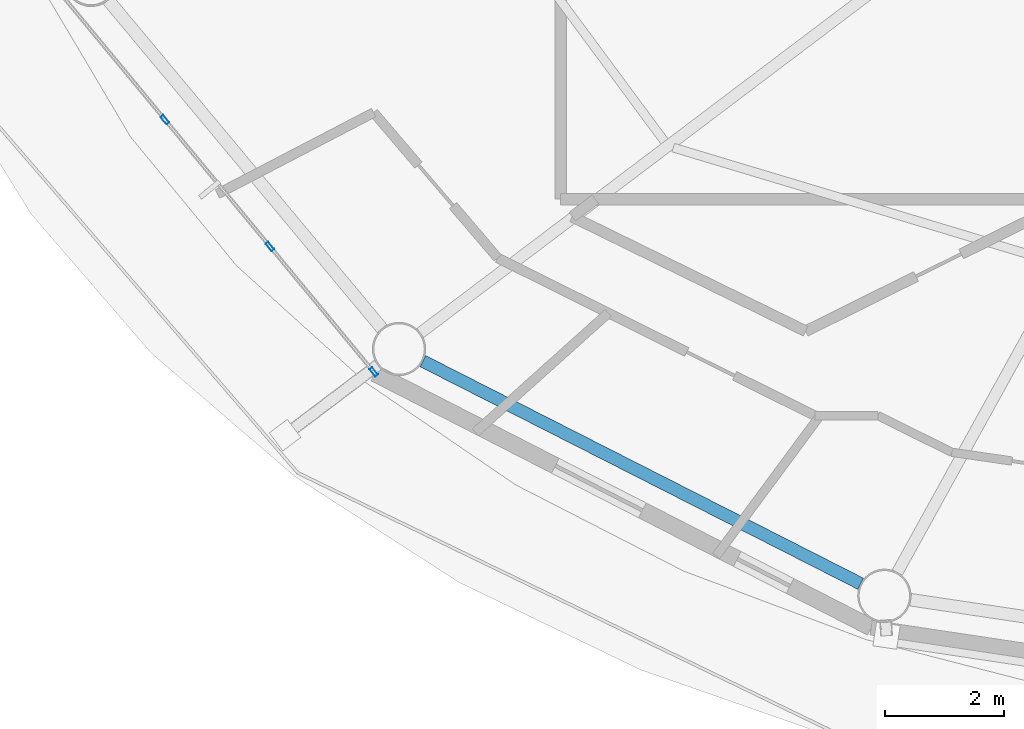
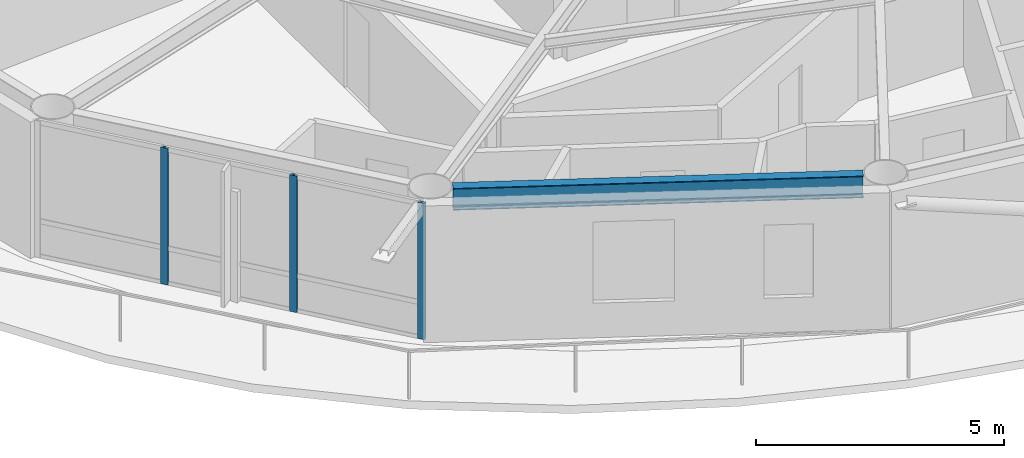
# One storey, part 2 of 23: 3 members, 1 beam, 1 element without a shape of its own.
"""IFC4 building model written with IfcOpenShell, lengths in metres."""

from ifc_helpers import new_model, si_unit, direction, frame, origin, origin_2d, place, context, subcontext, project, spatial, hollow_rectangle, i_section, extrude, material, layer, layer_set, material_profile, profile_set, type_object, element, aggregate, save


model = new_model("IFC4")

# Units and contexts
model_context = context("Model", 3, precision=1e-05, world=origin(), true_north=direction((0.0, 1.0)))
body_context = subcontext(model_context, "Body", "Model", "MODEL_VIEW")
ifc_project = project(units=[si_unit("LENGTHUNIT", "METRE"), si_unit("AREAUNIT", "SQUARE_METRE"), si_unit("VOLUMEUNIT", "CUBIC_METRE"), si_unit("PLANEANGLEUNIT", "RADIAN"), si_unit("MASSUNIT", "GRAM", prefix="KILO")], contexts=[model_context])

# Site, building, storey
site_placement = place(None, origin())
site = spatial("IfcSite", under=ifc_project, at=site_placement, CompositionType="ELEMENT")
building_placement = place(site_placement, origin())
building = spatial("IfcBuilding", under=site, at=building_placement, Name="Sarneth Arch Tower", CompositionType="ELEMENT")
storey_placement = place(building_placement, frame((0.0, 0.0, 217.199951171875)))
storey = spatial("IfcBuildingStorey", under=building, at=storey_placement, Name="L55", CompositionType="ELEMENT", Elevation=217.199951171875)

# Beam
ifc_material_1 = material(Name="Steel S355", Category="steel")
ifc_material_profile_1 = material_profile(ifc_material_1, i_section(OverallWidth=0.2109375, OverallDepth=0.5390625, WebThickness=0.01171875, FlangeThickness=0.018798828125, FilletRadius=0.01806640625, at=origin_2d()), Name="W530x109")
ifc_profile_set_1 = profile_set([ifc_material_profile_1], Name="Steel S355")
beam_type = type_object("IfcBeamType", Name="BM-RAD-530B", PredefinedType="BEAM", material=ifc_profile_set_1)
beam_placement = place(storey_placement, frame((30.42578125, 28.219482421875, 3.090576171875), z_axis=(0.891376248079, -0.453264144138, 0.0), x_axis=(0.453264144138, 0.891376248079, 0.0)))
element("IfcBeam", 1, at=beam_placement, inside=storey, type_object=beam_type, Name="L55 Perimeter spandrel beam 11", PredefinedType="BEAM", context=body_context, shape_type="SweptSolid", body=[
    extrude(i_section(OverallWidth=0.2109375, OverallDepth=0.5390625, WebThickness=0.01171875, FlangeThickness=0.018798828125, FilletRadius=0.01806640625, at=origin_2d()), origin(), (0.0, 0.0, 1.0), 8.281982421875),
])

# Curtain wall, members
ifc_material_2 = material(Name="Anodised aluminium Type AA25 and solar-control low-e laminated IGU", Category="aluminium")
ifc_layer = layer(ifc_material_2, 0.179931640625)
ifc_layer_set = layer_set([ifc_layer], Name="Anodised aluminium Type AA25 and solar-control low-e laminated IGU")
curtain_wall_type = type_object("IfcCurtainWallType", Name="CW-RES-HIGH", PredefinedType="NOTDEFINED", material=ifc_layer_set)
curtain_wall_placement = place(storey_placement, origin())
curtain_wall = element("IfcCurtainWall", 2, at=curtain_wall_placement, inside=storey, type_object=curtain_wall_type, Name="L55 Unitised curtain wall facet 10", PredefinedType="NOTDEFINED")
ifc_material_3 = material(Name="Anodised Aluminium 6063-T6", Category="aluminium")
ifc_material_profile_2 = material_profile(ifc_material_3, hollow_rectangle(XDim=0.06005859375, YDim=0.159912109375, WallThickness=0.00390625, at=origin_2d()), Name="AL-MULL-160x60x4")
ifc_profile_set_2 = profile_set([ifc_material_profile_2], Name="Anodised Aluminium 6063-T6")
member_type = type_object("IfcMemberType", Name="CW-MULLION", PredefinedType="MULLION", material=ifc_profile_set_2)
member_1_placement = place(storey_placement, frame((26.07666015625, 32.29150390625, 0.0), z_axis=(0.0, 0.0, 1.0), x_axis=(0.770359245933, 0.637610094184, 0.0)))
member_1 = element("IfcMember", 3, at=member_1_placement, type_object=member_type, Name="CW-SYS-6 mullion 2", PredefinedType="MULLION", context=body_context, shape_type="SweptSolid", body=[
    extrude(hollow_rectangle(XDim=0.06005859375, YDim=0.159912109375, WallThickness=0.00390625, at=origin_2d()), origin(), (0.0, 0.0, 1.0), 3.360107421875),
])
member_2_placement = place(storey_placement, frame((27.84716796875, 30.15234375, 0.0), z_axis=(0.0, 0.0, 1.0), x_axis=(0.770359245933, 0.637610094184, 0.0)))
member_2 = element("IfcMember", 4, at=member_2_placement, type_object=member_type, Name="CW-SYS-6 mullion 3", PredefinedType="MULLION", context=body_context, shape_type="SweptSolid", body=[
    extrude(hollow_rectangle(XDim=0.06005859375, YDim=0.159912109375, WallThickness=0.00390625, at=origin_2d()), origin(), (0.0, 0.0, 1.0), 3.360107421875),
])
member_3_placement = place(storey_placement, frame((29.598388671875, 28.03662109375, 0.0), z_axis=(0.0, 0.0, 1.0), x_axis=(0.770359245933, 0.637610094184, 0.0)))
member_3 = element("IfcMember", 5, at=member_3_placement, type_object=member_type, Name="CW-SYS-6 mullion 4", PredefinedType="MULLION", context=body_context, shape_type="SweptSolid", body=[
    extrude(hollow_rectangle(XDim=0.06005859375, YDim=0.159912109375, WallThickness=0.00390625, at=origin_2d()), origin(), (0.0, 0.0, 1.0), 3.360107421875),
])
aggregate(curtain_wall, [member_1, member_2, member_3])

save(model, "model.ifc")
